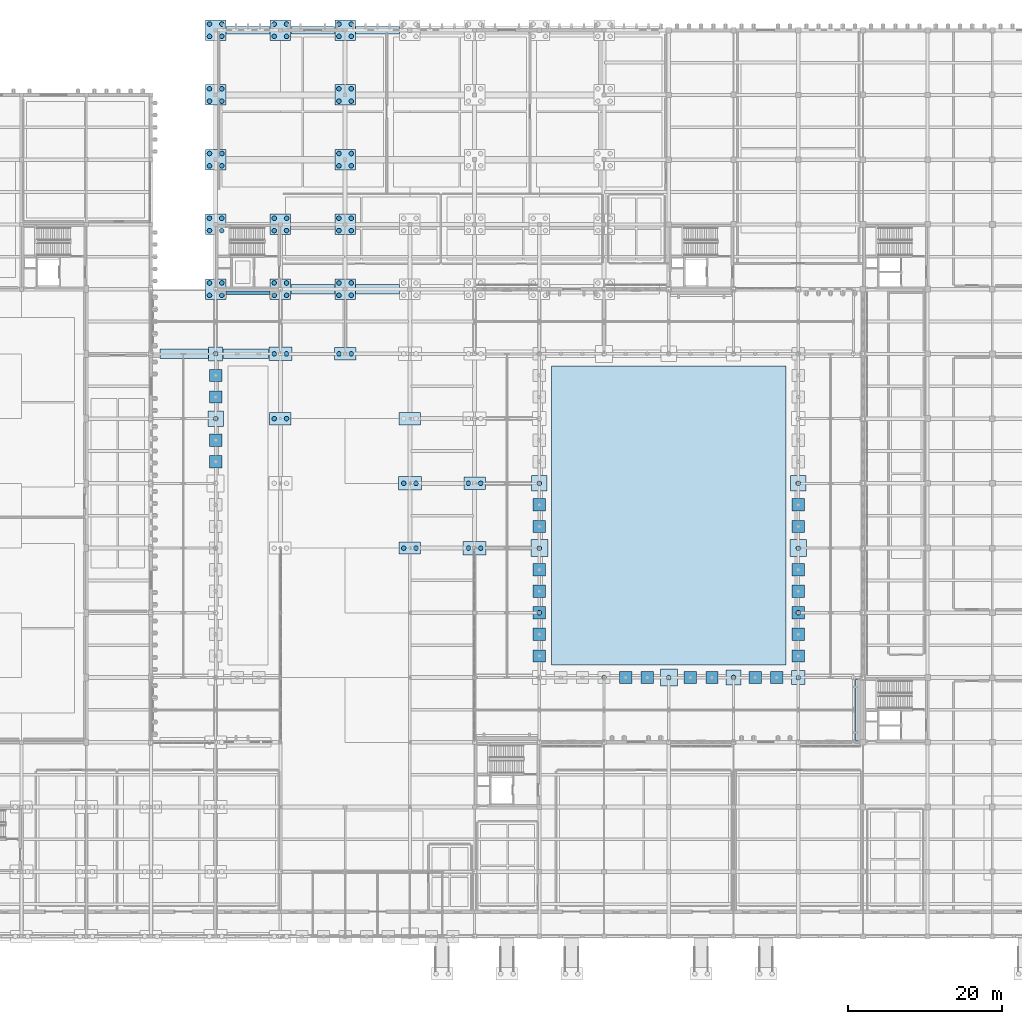
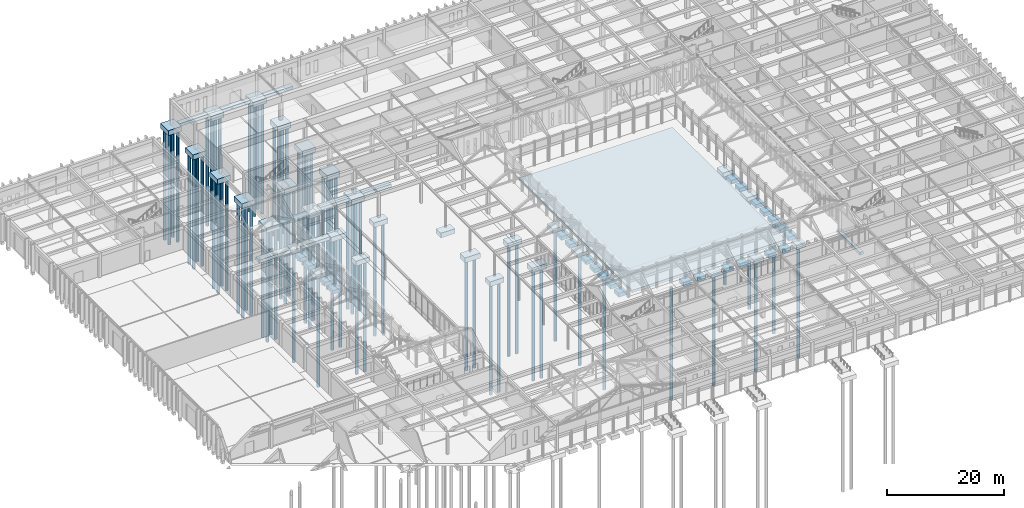
# One storey, part 2 of 143: 78 piles, 64 footings.
"""IFC4 building model written with IfcOpenShell, lengths in metres."""

import ifcopenshell
import ifcopenshell.guid

model = None  # the IFC model being written
_history = None  # IfcOwnerHistory: only IFC2X3 demands one
_inside = {}  # id of a spatial element -> (the spatial element, [elements in it])
_under = {}  # id of a project, library or spatial element -> (it, [spatial elements below it])
_declared = {}  # id of a project -> (the project, [libraries it declares])
_typed = {}  # id of a type object -> (the type object, [elements of that type])
_made_of = {}  # id of a material, layer set ... -> (it, [elements and type objects made of it])


def new_model(schema):
    """Start an empty IFC model of exactly this schema.

    Asked for "IFC4X3", IfcOpenShell would pick the latest addendum, in which some entities
    have other attributes; the version numbers below select the first issue.
    IFC2X3 requires an IfcOwnerHistory on every rooted entity: one is made here for all.
    """
    global model, _history
    if schema == "IFC4X3":
        model = ifcopenshell.file(schema_version=(4, 3, 0, 0))
    else:
        model = ifcopenshell.file(schema=schema)
    _inside.clear()
    _under.clear()
    _declared.clear()
    _typed.clear()
    _made_of.clear()
    _history = None
    if model.schema == "IFC2X3":
        org = make("IfcOrganization", Name="unknown")
        user = make(
            "IfcPersonAndOrganization",
            ThePerson=make("IfcPerson", FamilyName="unknown"),
            TheOrganization=org,
        )
        app = make(
            "IfcApplication",
            ApplicationDeveloper=org,
            Version="unknown",
            ApplicationFullName="unknown",
            ApplicationIdentifier="unknown",
        )
        _history = make(
            "IfcOwnerHistory",
            OwningUser=user,
            OwningApplication=app,
            ChangeAction="ADDED",
            CreationDate=0,
        )
    return model


def make(cls, **values):
    """One entity of the class cls with the attributes given. An attribute that is None is left unset."""
    return model.create_entity(
        cls, **{name: value for name, value in values.items() if value is not None}
    )


def rooted(cls, **values):
    """An entity with a GlobalId (a new one), such as an element, a storey or a relation."""
    return make(cls, GlobalId=ifcopenshell.guid.new(), OwnerHistory=_history, **values)


def si_unit(unit_type, name, prefix=None):
    """IfcSIUnit, for example si_unit("LENGTHUNIT", "METRE", prefix="MILLI")."""
    return make("IfcSIUnit", UnitType=unit_type, Prefix=prefix, Name=name)


def assignment(units):
    """IfcUnitAssignment: the units of a project."""
    return None if units is None else make("IfcUnitAssignment", Units=units)


def point(xyz):
    """IfcCartesianPoint."""
    return None if xyz is None else make("IfcCartesianPoint", Coordinates=xyz)


def direction(xyz):
    """IfcDirection."""
    return None if xyz is None else make("IfcDirection", DirectionRatios=xyz)


def frame(location, z_axis=None, x_axis=None):
    """IfcAxis2Placement3D, a coordinate frame: its origin and axes. An axis left out is left unset."""
    return make(
        "IfcAxis2Placement3D",
        Location=point(location),
        Axis=direction(z_axis),
        RefDirection=direction(x_axis),
    )


def frame_2d(location, x_axis=None):
    """IfcAxis2Placement2D, a coordinate frame in the plane: its origin and x axis."""
    return make(
        "IfcAxis2Placement2D", Location=point(location), RefDirection=direction(x_axis)
    )


def origin():
    """The frame at (0, 0, 0) with its axes left unset."""
    return frame((0.0, 0.0, 0.0))


def origin_2d():
    """The frame at (0, 0) in the plane with its x axis left unset."""
    return frame_2d((0.0, 0.0))


def place(relative_to, where):
    """IfcLocalPlacement: puts the frame where relative to a parent placement (None: the world)."""
    return make(
        "IfcLocalPlacement", PlacementRelTo=relative_to, RelativePlacement=where
    )


def context(
    kind, dimensions, precision=None, world=None, true_north=None, identifier=None
):
    """IfcGeometricRepresentationContext, for example the 3D "Model" context."""
    return make(
        "IfcGeometricRepresentationContext",
        ContextIdentifier=identifier,
        ContextType=kind,
        CoordinateSpaceDimension=dimensions,
        Precision=precision,
        WorldCoordinateSystem=world,
        TrueNorth=true_north,
    )


def subcontext(parent, identifier, kind, view, scale=None):
    """IfcGeometricRepresentationSubContext, for example "Body" below "Model"."""
    return make(
        "IfcGeometricRepresentationSubContext",
        ContextIdentifier=identifier,
        ContextType=kind,
        ParentContext=parent,
        TargetScale=scale,
        TargetView=view,
    )


def project(units=None, contexts=None):
    """IfcProject with its units and contexts."""
    return rooted(
        "IfcProject",
        Name="project",
        RepresentationContexts=contexts,
        UnitsInContext=assignment(units),
    )


def spatial(cls, under=None, at=None, **own):
    """A site, building, storey or space (cls), placed at a placement, below another one or the project."""
    s = rooted(cls, ObjectPlacement=at, **own)
    if under is not None:
        _under.setdefault(under.id(), (under, []))[1].append(s)
    return s


def polyline(points):
    """IfcPolyline through the points."""
    return make("IfcPolyline", Points=[point(p) for p in points])


def profile(cls, at=None, kind="AREA", **sizes):
    """A parametric profile (cls). Its sizes go by their IFC names, for example OverallWidth=200.0."""
    return make(cls, ProfileType=kind, Position=at, **sizes)


def rectangle(**sizes):
    """IfcRectangleProfileDef."""
    return profile("IfcRectangleProfileDef", **sizes)


def circle(**sizes):
    """IfcCircleProfileDef."""
    return profile("IfcCircleProfileDef", **sizes)


def outline(outer, holes=None, kind="AREA"):
    """IfcArbitraryClosedProfileDef: a profile drawn as a closed curve; with holes, ...WithVoids."""
    if holes is None:
        return make("IfcArbitraryClosedProfileDef", ProfileType=kind, OuterCurve=outer)
    return make(
        "IfcArbitraryProfileDefWithVoids",
        ProfileType=kind,
        OuterCurve=outer,
        InnerCurves=holes,
    )


def extrude(swept, where, along, depth):
    """IfcExtrudedAreaSolid: the profile swept, set in the frame where, extruded along a direction by depth."""
    return make(
        "IfcExtrudedAreaSolid",
        SweptArea=swept,
        Position=where,
        ExtrudedDirection=direction(along),
        Depth=depth,
    )


def shape(context_of_items, identifier, shape_type, items):
    """IfcShapeRepresentation: the items that make up one representation, for example the "Body"."""
    return make(
        "IfcShapeRepresentation",
        ContextOfItems=context_of_items,
        RepresentationIdentifier=identifier,
        RepresentationType=shape_type,
        Items=items,
    )


def material(Name=None, Category=None):
    """IfcMaterial."""
    return make("IfcMaterial", Name=Name, Category=Category)


def material_profile(
    of_material, cross_section, Name=None, Category=None, Priority=None
):
    """IfcMaterialProfile: a cross section and its material."""
    return make(
        "IfcMaterialProfile",
        Name=Name,
        Material=of_material,
        Profile=cross_section,
        Priority=Priority,
        Category=Category,
    )


def profile_set(profiles, Name=None, composite=None):
    """IfcMaterialProfileSet."""
    return make(
        "IfcMaterialProfileSet",
        Name=Name,
        MaterialProfiles=profiles,
        CompositeProfile=composite,
    )


def made_of(thing, what):
    """Note that an element or type object is made of a material, layer set ...; save() writes the relation."""
    if what is not None:
        _made_of.setdefault(what.id(), (what, []))[1].append(thing)
    return thing


def type_object(cls, material=None, **own):
    """A type object (cls), such as IfcWallType, which elements share."""
    return made_of(rooted(cls, **own), material)


def element(
    cls,
    number,
    at=None,
    inside=None,
    cuts=None,
    type_object=None,
    material=None,
    context=None,
    identifier="Body",
    shape_type=None,
    held_by="IfcProductDefinitionShape",
    body=None,
    shapes=None,
    **own,
):
    """One element of the class cls, such as IfcWall. Its Tag is "e" and its number.

    at: its placement. inside: the storey or other place that contains it. cuts: it is an
    opening in that element (IfcRelVoidsElement). A single representation is given by context,
    identifier, shape_type and body (its items); several are given by shapes. held_by: the class
    of the entity that holds the representations. save() writes the other relations.
    """
    e = rooted(cls, Tag="e%d" % number, ObjectPlacement=at, **own)
    if body is not None:
        shapes = [shape(context, identifier, shape_type, body)]
    if shapes is not None:
        e.Representation = make(held_by, Representations=shapes)
    if inside is not None:
        _inside.setdefault(inside.id(), (inside, []))[1].append(e)
    if cuts is not None:
        rooted(
            "IfcRelVoidsElement", RelatingBuildingElement=cuts, RelatedOpeningElement=e
        )
    if type_object is not None:
        _typed.setdefault(type_object.id(), (type_object, []))[1].append(e)
    return made_of(e, material)


def aggregate(whole, parts):
    """IfcRelAggregates: a whole, such as a stair, and the parts it consists of."""
    return rooted("IfcRelAggregates", RelatingObject=whole, RelatedObjects=parts)


def save(model, path):
    """Write the relations noted so far, then the file.

    IfcRelAggregates (storeys below a building ...), IfcRelContainedInSpatialStructure (elements
    in a storey), IfcRelDefinesByType, IfcRelAssociatesMaterial and IfcRelDeclares: one each for
    every whole, place, type object, material and project.
    """
    for whole, parts in _under.values():
        aggregate(whole, parts)
    for where, things in _inside.values():
        rooted(
            "IfcRelContainedInSpatialStructure",
            RelatedElements=things,
            RelatingStructure=where,
        )
    for kind, things in _typed.values():
        rooted("IfcRelDefinesByType", RelatedObjects=things, RelatingType=kind)
    for what, things in _made_of.values():
        rooted("IfcRelAssociatesMaterial", RelatedObjects=things, RelatingMaterial=what)
    for by, libraries in _declared.values():
        rooted("IfcRelDeclares", RelatingContext=by, RelatedDefinitions=libraries)
    model.write(path)


model = new_model("IFC4")

# Units and contexts
model_context = context("Model", 3, precision=1e-05, world=origin(), true_north=direction((0.0, 1.0)))
body_context = subcontext(model_context, "Body", "Model", "MODEL_VIEW")
ifc_project = project(units=[si_unit("LENGTHUNIT", "METRE"), si_unit("AREAUNIT", "SQUARE_METRE"), si_unit("VOLUMEUNIT", "CUBIC_METRE"), si_unit("PLANEANGLEUNIT", "RADIAN"), si_unit("MASSUNIT", "GRAM", prefix="KILO")], contexts=[model_context])

# Site, building, storey
site_placement = place(None, origin())
site = spatial("IfcSite", under=ifc_project, at=site_placement, CompositionType="ELEMENT")
building_placement = place(site_placement, origin())
building = spatial("IfcBuilding", under=site, at=building_placement, Name="Kveldsbrygga Polytechnic", CompositionType="ELEMENT")
storey_placement = place(building_placement, origin())
storey = spatial("IfcBuildingStorey", under=building, at=storey_placement, Name="L00", CompositionType="ELEMENT", Elevation=0.0)

# Footings
ifc_material_1 = material(Name="Concrete C45/55", Category="concrete")
footing_type_1 = type_object("IfcFootingType", Name="PC-2P-LIGHT", PredefinedType="PILE_CAP", material=ifc_material_1)
for number, where, z_axis, x_axis, name in (
    (1, (50.39990234375, 67.199951171875, -1.320068359375), (0.0, 0.0, 1.0), (1.0, 0.0, 0.0), "Foundation FND-06-08"),
    (2, (58.800048828125, 75.60009765625, -1.320068359375), (0.0, 0.0, 1.0), (1.0, 0.0, 0.0), "Foundation FND-07-09"),
    (3, (67.199951171875, 50.39990234375, -1.320068359375), (0.0, 0.0, 1.0), (1.0, 0.0, 0.0), "Foundation FND-08-06"),
    (4, (67.199951171875, 67.199951171875, -1.320068359375), (0.0, 0.0, 1.0), (1.0, 0.0, 0.0), "Foundation FND-08-08"),
    (5, (75.60009765625, 58.800048828125, -1.320068359375), (0.0, 0.0, 1.0), (1.0, 0.0, 0.0), "Foundation FND-09-07"),
):
    element("IfcFooting", number, at=place(storey_placement, frame(where, z_axis=z_axis, x_axis=x_axis)), inside=storey, type_object=footing_type_1, Name=name, PredefinedType="PILE_CAP", context=body_context, shape_type="SweptSolid", body=[
        extrude(rectangle(XDim=2.800048828125, YDim=1.60009765625, at=origin_2d()), origin(), (0.0, 0.0, 1.0), 1.0),
    ])
footing_type_2 = type_object("IfcFootingType", Name="PC-2P-MED", PredefinedType="PILE_CAP", material=ifc_material_1)
for number, where, z_axis, x_axis, name in (
    (6, (50.39990234375, 75.60009765625, -1.3701171875), (0.0, 0.0, 1.0), (1.0, 0.0, 0.0), "Foundation FND-06-09"),
    (7, (67.199951171875, 58.800048828125, -1.3701171875), (0.0, 0.0, 1.0), (1.0, 0.0, 0.0), "Foundation FND-08-07"),
    (8, (75.60009765625, 50.39990234375, -1.3701171875), (0.0, 0.0, 1.0), (1.0, 0.0, 0.0), "Foundation FND-09-06"),
):
    element("IfcFooting", number, at=place(storey_placement, frame(where, z_axis=z_axis, x_axis=x_axis)), inside=storey, type_object=footing_type_2, Name=name, PredefinedType="PILE_CAP", context=body_context, shape_type="SweptSolid", body=[
        extrude(rectangle(XDim=3.0, YDim=1.75, at=origin_2d()), origin(), (0.0, 0.0, 1.0), 1.050048828125),
    ])
footing_type_3 = type_object("IfcFootingType", Name="PC-4P-CMP", PredefinedType="PILE_CAP", material=ifc_material_1)
for number, where, z_axis, x_axis, name in (
    (9, (42.0, 84.0, -1.3701171875), (0.0, 0.0, 1.0), (1.0, 0.0, 0.0), "Foundation FND-05-10"),
    (10, (42.0, 92.39990234375, -1.3701171875), (0.0, 0.0, 1.0), (1.0, 0.0, 0.0), "Foundation FND-05-11"),
    (11, (42.0, 100.800048828125, -1.3701171875), (0.0, 0.0, 1.0), (1.0, 0.0, 0.0), "Foundation FND-05-12"),
    (12, (42.0, 109.199951171875, -1.3701171875), (0.0, 0.0, 1.0), (1.0, 0.0, 0.0), "Foundation FND-05-13"),
    (13, (42.0, 117.60009765625, -1.3701171875), (0.0, 0.0, 1.0), (1.0, 0.0, 0.0), "Foundation FND-05-14"),
    (14, (50.39990234375, 84.0, -1.3701171875), (0.0, 0.0, 1.0), (1.0, 0.0, 0.0), "Foundation FND-06-10"),
    (15, (50.39990234375, 92.39990234375, -1.3701171875), (0.0, 0.0, 1.0), (1.0, 0.0, 0.0), "Foundation FND-06-11"),
    (16, (50.39990234375, 117.60009765625, -1.3701171875), (0.0, 0.0, 1.0), (1.0, 0.0, 0.0), "Foundation FND-06-14"),
    (17, (58.800048828125, 84.0, -1.3701171875), (0.0, 0.0, 1.0), (1.0, 0.0, 0.0), "Foundation FND-07-10"),
    (18, (58.800048828125, 92.39990234375, -1.3701171875), (0.0, 0.0, 1.0), (1.0, 0.0, 0.0), "Foundation FND-07-11"),
    (19, (58.800048828125, 100.800048828125, -1.3701171875), (0.0, 0.0, 1.0), (1.0, 0.0, 0.0), "Foundation FND-07-12"),
    (20, (58.800048828125, 109.199951171875, -1.3701171875), (0.0, 0.0, 1.0), (1.0, 0.0, 0.0), "Foundation FND-07-13"),
    (21, (58.800048828125, 117.60009765625, -1.3701171875), (0.0, 0.0, 1.0), (1.0, 0.0, 0.0), "Foundation FND-07-14"),
):
    element("IfcFooting", number, at=place(storey_placement, frame(where, z_axis=z_axis, x_axis=x_axis)), inside=storey, type_object=footing_type_3, Name=name, PredefinedType="PILE_CAP", context=body_context, shape_type="SweptSolid", body=[
        extrude(rectangle(XDim=2.64990234375, YDim=2.64990234375, at=origin_2d()), origin(), (0.0, 0.0, 1.0), 1.050048828125),
    ])
ifc_material_2 = material(Name="Concrete C35/45", Category="concrete")
footing_type_4 = type_object("IfcFootingType", Name="PF-ARCADE-A", PredefinedType="PAD_FOOTING", material=ifc_material_2)
for number, where, z_axis, x_axis, name in (
    (22, (84.0, 50.39990234375, -1.1201171875), (0.0, 0.0, 1.0), (1.0, 0.0, 0.0), "Foundation FND-10-06"),
    (23, (100.800048828125, 33.60009765625, -1.1201171875), (0.0, 0.0, 1.0), (1.0, 0.0, 0.0), "Foundation FND-12-04"),
    (24, (117.60009765625, 50.39990234375, -1.1201171875), (0.0, 0.0, 1.0), (1.0, 0.0, 0.0), "Foundation FND-14-06"),
):
    element("IfcFooting", number, at=place(storey_placement, frame(where, z_axis=z_axis, x_axis=x_axis)), inside=storey, type_object=footing_type_4, Name=name, PredefinedType="PAD_FOOTING", context=body_context, shape_type="SweptSolid", body=[
        extrude(rectangle(XDim=2.199951171875, YDim=2.199951171875, at=origin_2d()), origin(), (0.0, 0.0, 1.0), 0.800048828125),
    ])
footing_type_5 = type_object("IfcFootingType", Name="PF-ARCADE-B", PredefinedType="PAD_FOOTING", material=ifc_material_2)
for number, where, z_axis, x_axis, name in (
    (25, (42.0, 75.60009765625, -1.170166015625), (0.0, 0.0, 1.0), (1.0, 0.0, 0.0), "Foundation FND-05-09"),
    (26, (117.60009765625, 33.60009765625, -1.170166015625), (0.0, 0.0, 1.0), (1.0, 0.0, 0.0), "Foundation FND-14-04"),
):
    element("IfcFooting", number, at=place(storey_placement, frame(where, z_axis=z_axis, x_axis=x_axis)), inside=storey, type_object=footing_type_5, Name=name, PredefinedType="PAD_FOOTING", context=body_context, shape_type="SweptSolid", body=[
        extrude(rectangle(XDim=1.800048828125, YDim=1.800048828125, at=origin_2d()), origin(), (0.0, 0.0, 1.0), 0.85009765625),
    ])
footing_type_6 = type_object("IfcFootingType", Name="PF-ARCADE-C", PredefinedType="PAD_FOOTING", material=ifc_material_2)
for number, where, z_axis, x_axis, name in (
    (27, (42.0, 67.199951171875, -1.219970703125), (0.0, 0.0, 1.0), (1.0, 0.0, 0.0), "Foundation FND-05-08"),
    (28, (84.0, 58.800048828125, -1.219970703125), (0.0, 0.0, 1.0), (1.0, 0.0, 0.0), "Foundation FND-10-07"),
    (29, (109.199951171875, 33.60009765625, -1.219970703125), (0.0, 0.0, 1.0), (1.0, 0.0, 0.0), "Foundation FND-13-04"),
    (30, (117.60009765625, 58.800048828125, -1.219970703125), (0.0, 0.0, 1.0), (1.0, 0.0, 0.0), "Foundation FND-14-07"),
):
    element("IfcFooting", number, at=place(storey_placement, frame(where, z_axis=z_axis, x_axis=x_axis)), inside=storey, type_object=footing_type_6, Name=name, PredefinedType="PAD_FOOTING", context=body_context, shape_type="SweptSolid", body=[
        extrude(rectangle(XDim=2.0, YDim=2.0, at=origin_2d()), origin(), (0.0, 0.0, 1.0), 0.89990234375),
    ])
footing_1_placement = place(storey_placement, frame((0.0, 0.0, -0.800048828125)))
element("IfcFooting", 31, at=footing_1_placement, inside=storey, type_object=footing_type_6, Name="Courtyard Paving Subbase ECOURT", PredefinedType="PAD_FOOTING", context=body_context, shape_type="SweptSolid", body=[
    extrude(outline(polyline([(85.60009765625, 35.199951171875), (116.0, 35.199951171875), (116.0, 74.0), (85.60009765625, 74.0), (85.60009765625, 35.199951171875)])), origin(), (0.0, 0.0, 1.0), 0.52001953125),
])
footing_type_7 = type_object("IfcFootingType", Name="PF-ARCADE-D", PredefinedType="PAD_FOOTING", material=ifc_material_2)
for number, where, z_axis, x_axis, name in (
    (32, (84.0, 42.0, -1.14013671875), (0.0, 0.0, 1.0), (1.0, 0.0, 0.0), "Foundation FND-10-05"),
    (33, (117.60009765625, 42.0, -1.14013671875), (0.0, 0.0, 1.0), (1.0, 0.0, 0.0), "Foundation FND-14-05"),
    (34, (42.0, 61.60009765625, -1.14013671875), (0.0, 0.0, 1.0), (1.0, 0.0, 0.0), "Arcade Pier Footing FND-ARC-051"),
    (35, (42.0, 64.39990234375, -1.14013671875), (0.0, 0.0, 1.0), (1.0, 0.0, 0.0), "Arcade Pier Footing FND-ARC-052"),
    (36, (42.0, 70.0, -1.14013671875), (0.0, 0.0, 1.0), (1.0, 0.0, 0.0), "Arcade Pier Footing FND-ARC-053"),
    (37, (42.0, 72.800048828125, -1.14013671875), (0.0, 0.0, 1.0), (1.0, 0.0, 0.0), "Arcade Pier Footing FND-ARC-054"),
    (38, (95.199951171875, 33.60009765625, -1.14013671875), (0.0, 0.0, 1.0), (1.0, 0.0, 0.0), "Arcade Pier Footing FND-ARC-059"),
    (39, (98.0, 33.60009765625, -1.14013671875), (0.0, 0.0, 1.0), (1.0, 0.0, 0.0), "Arcade Pier Footing FND-ARC-060"),
    (40, (103.60009765625, 33.60009765625, -1.14013671875), (0.0, 0.0, 1.0), (1.0, 0.0, 0.0), "Arcade Pier Footing FND-ARC-063"),
    (41, (106.39990234375, 33.60009765625, -1.14013671875), (0.0, 0.0, 1.0), (1.0, 0.0, 0.0), "Arcade Pier Footing FND-ARC-064"),
    (42, (112.0, 33.60009765625, -1.14013671875), (0.0, 0.0, 1.0), (1.0, 0.0, 0.0), "Arcade Pier Footing FND-ARC-067"),
    (43, (114.800048828125, 33.60009765625, -1.14013671875), (0.0, 0.0, 1.0), (1.0, 0.0, 0.0), "Arcade Pier Footing FND-ARC-068"),
    (44, (84.0, 36.39990234375, -1.14013671875), (0.0, 0.0, 1.0), (1.0, 0.0, 0.0), "Arcade Pier Footing FND-ARC-071"),
    (45, (84.0, 39.199951171875, -1.14013671875), (0.0, 0.0, 1.0), (1.0, 0.0, 0.0), "Arcade Pier Footing FND-ARC-072"),
    (46, (117.60009765625, 36.39990234375, -1.14013671875), (0.0, 0.0, 1.0), (1.0, 0.0, 0.0), "Arcade Pier Footing FND-ARC-073"),
    (47, (117.60009765625, 39.199951171875, -1.14013671875), (0.0, 0.0, 1.0), (1.0, 0.0, 0.0), "Arcade Pier Footing FND-ARC-074"),
    (48, (84.0, 44.800048828125, -1.14013671875), (0.0, 0.0, 1.0), (1.0, 0.0, 0.0), "Arcade Pier Footing FND-ARC-075"),
    (49, (84.0, 47.60009765625, -1.14013671875), (0.0, 0.0, 1.0), (1.0, 0.0, 0.0), "Arcade Pier Footing FND-ARC-076"),
    (50, (117.60009765625, 44.800048828125, -1.14013671875), (0.0, 0.0, 1.0), (1.0, 0.0, 0.0), "Arcade Pier Footing FND-ARC-077"),
    (51, (117.60009765625, 47.60009765625, -1.14013671875), (0.0, 0.0, 1.0), (1.0, 0.0, 0.0), "Arcade Pier Footing FND-ARC-078"),
    (52, (84.0, 53.199951171875, -1.14013671875), (0.0, 0.0, 1.0), (1.0, 0.0, 0.0), "Arcade Pier Footing FND-ARC-079"),
    (53, (84.0, 56.0, -1.14013671875), (0.0, 0.0, 1.0), (1.0, 0.0, 0.0), "Arcade Pier Footing FND-ARC-080"),
    (54, (117.60009765625, 53.199951171875, -1.14013671875), (0.0, 0.0, 1.0), (1.0, 0.0, 0.0), "Arcade Pier Footing FND-ARC-081"),
    (55, (117.60009765625, 56.0, -1.14013671875), (0.0, 0.0, 1.0), (1.0, 0.0, 0.0), "Arcade Pier Footing FND-ARC-082"),
):
    element("IfcFooting", number, at=place(storey_placement, frame(where, z_axis=z_axis, x_axis=x_axis)), inside=storey, type_object=footing_type_7, Name=name, PredefinedType="PAD_FOOTING", context=body_context, shape_type="SweptSolid", body=[
        extrude(rectangle(XDim=1.60009765625, YDim=1.60009765625, at=origin_2d()), origin(), (0.0, 0.0, 1.0), 0.820068359375),
    ])

# Piles
ifc_material_profile = material_profile(ifc_material_1, circle(Radius=0.300048828125, at=origin_2d()), Name="PILE D600")
ifc_profile_set = profile_set([ifc_material_profile], Name="Concrete C45/55")
pile_type = type_object("IfcPileType", Name="PILE-D600", PredefinedType="BORED", material=ifc_profile_set)
pile_1_placement = place(storey_placement, frame((42.0, 67.199951171875, -1.070068359375), z_axis=(0.0, 0.0, -1.0), x_axis=(1.0, 0.0, 0.0)))
element("IfcPile", 56, at=pile_1_placement, inside=storey, type_object=pile_type, Name="Bored Pile PIL-05-08-1", PredefinedType="BORED", context=body_context, shape_type="SweptSolid", body=[
    extrude(circle(Radius=0.300048828125, at=origin_2d()), origin(), (0.0, 0.0, 1.0), 23.429931640625),
])
pile_2_placement = place(storey_placement, frame((42.0, 75.60009765625, -1.02001953125), z_axis=(0.0, 0.0, -1.0), x_axis=(1.0, 0.0, 0.0)))
element("IfcPile", 57, at=pile_2_placement, inside=storey, type_object=pile_type, Name="Bored Pile PIL-05-09-1", PredefinedType="BORED", context=body_context, shape_type="SweptSolid", body=[
    extrude(circle(Radius=0.300048828125, at=origin_2d()), origin(), (0.0, 0.0, 1.0), 23.47998046875),
])
for number, where, z_axis, x_axis, name in (
    (58, (41.199951171875, 83.199951171875, -1.219970703125), (0.0, 0.0, -1.0), (1.0, 0.0, 0.0), "Bored Pile PIL-05-10-1"),
    (59, (42.800048828125, 83.199951171875, -1.219970703125), (0.0, 0.0, -1.0), (1.0, 0.0, 0.0), "Bored Pile PIL-05-10-2"),
    (60, (41.199951171875, 84.800048828125, -1.219970703125), (0.0, 0.0, -1.0), (1.0, 0.0, 0.0), "Bored Pile PIL-05-10-3"),
    (61, (42.800048828125, 84.800048828125, -1.219970703125), (0.0, 0.0, -1.0), (1.0, 0.0, 0.0), "Bored Pile PIL-05-10-4"),
    (62, (41.199951171875, 91.60009765625, -1.219970703125), (0.0, 0.0, -1.0), (1.0, 0.0, 0.0), "Bored Pile PIL-05-11-1"),
    (63, (42.800048828125, 91.60009765625, -1.219970703125), (0.0, 0.0, -1.0), (1.0, 0.0, 0.0), "Bored Pile PIL-05-11-2"),
    (64, (41.199951171875, 93.199951171875, -1.219970703125), (0.0, 0.0, -1.0), (1.0, 0.0, 0.0), "Bored Pile PIL-05-11-3"),
    (65, (42.800048828125, 93.199951171875, -1.219970703125), (0.0, 0.0, -1.0), (1.0, 0.0, 0.0), "Bored Pile PIL-05-11-4"),
    (66, (41.199951171875, 100.0, -1.219970703125), (0.0, 0.0, -1.0), (1.0, 0.0, 0.0), "Bored Pile PIL-05-12-1"),
    (67, (42.800048828125, 100.0, -1.219970703125), (0.0, 0.0, -1.0), (1.0, 0.0, 0.0), "Bored Pile PIL-05-12-2"),
    (68, (41.199951171875, 101.60009765625, -1.219970703125), (0.0, 0.0, -1.0), (1.0, 0.0, 0.0), "Bored Pile PIL-05-12-3"),
    (69, (42.800048828125, 101.60009765625, -1.219970703125), (0.0, 0.0, -1.0), (1.0, 0.0, 0.0), "Bored Pile PIL-05-12-4"),
    (70, (41.199951171875, 108.39990234375, -1.219970703125), (0.0, 0.0, -1.0), (1.0, 0.0, 0.0), "Bored Pile PIL-05-13-1"),
    (71, (42.800048828125, 108.39990234375, -1.219970703125), (0.0, 0.0, -1.0), (1.0, 0.0, 0.0), "Bored Pile PIL-05-13-2"),
    (72, (41.199951171875, 110.0, -1.219970703125), (0.0, 0.0, -1.0), (1.0, 0.0, 0.0), "Bored Pile PIL-05-13-3"),
    (73, (42.800048828125, 110.0, -1.219970703125), (0.0, 0.0, -1.0), (1.0, 0.0, 0.0), "Bored Pile PIL-05-13-4"),
    (74, (41.199951171875, 116.800048828125, -1.219970703125), (0.0, 0.0, -1.0), (1.0, 0.0, 0.0), "Bored Pile PIL-05-14-1"),
    (75, (42.800048828125, 116.800048828125, -1.219970703125), (0.0, 0.0, -1.0), (1.0, 0.0, 0.0), "Bored Pile PIL-05-14-2"),
    (76, (41.199951171875, 118.39990234375, -1.219970703125), (0.0, 0.0, -1.0), (1.0, 0.0, 0.0), "Bored Pile PIL-05-14-3"),
    (77, (42.800048828125, 118.39990234375, -1.219970703125), (0.0, 0.0, -1.0), (1.0, 0.0, 0.0), "Bored Pile PIL-05-14-4"),
):
    element("IfcPile", number, at=place(storey_placement, frame(where, z_axis=z_axis, x_axis=x_axis)), inside=storey, type_object=pile_type, Name=name, PredefinedType="BORED", context=body_context, shape_type="SweptSolid", body=[
        extrude(circle(Radius=0.300048828125, at=origin_2d()), origin(), (0.0, 0.0, 1.0), 23.280029296875),
    ])
for number, where, z_axis, x_axis, name in (
    (78, (49.60009765625, 67.199951171875, -1.169921875), (0.0, 0.0, -1.0), (1.0, 0.0, 0.0), "Bored Pile PIL-06-08-1"),
    (79, (51.199951171875, 67.199951171875, -1.169921875), (0.0, 0.0, -1.0), (1.0, 0.0, 0.0), "Bored Pile PIL-06-08-2"),
):
    element("IfcPile", number, at=place(storey_placement, frame(where, z_axis=z_axis, x_axis=x_axis)), inside=storey, type_object=pile_type, Name=name, PredefinedType="BORED", context=body_context, shape_type="SweptSolid", body=[
        extrude(circle(Radius=0.300048828125, at=origin_2d()), origin(), (0.0, 0.0, 1.0), 23.330078125),
    ])
for number, where, z_axis, x_axis, name in (
    (80, (49.60009765625, 75.60009765625, -1.219970703125), (0.0, 0.0, -1.0), (1.0, 0.0, 0.0), "Bored Pile PIL-06-09-1"),
    (81, (51.199951171875, 75.60009765625, -1.219970703125), (0.0, 0.0, -1.0), (1.0, 0.0, 0.0), "Bored Pile PIL-06-09-2"),
    (82, (49.60009765625, 83.199951171875, -1.219970703125), (0.0, 0.0, -1.0), (1.0, 0.0, 0.0), "Bored Pile PIL-06-10-1"),
    (83, (51.199951171875, 83.199951171875, -1.219970703125), (0.0, 0.0, -1.0), (1.0, 0.0, 0.0), "Bored Pile PIL-06-10-2"),
    (84, (49.60009765625, 84.800048828125, -1.219970703125), (0.0, 0.0, -1.0), (1.0, 0.0, 0.0), "Bored Pile PIL-06-10-3"),
    (85, (51.199951171875, 84.800048828125, -1.219970703125), (0.0, 0.0, -1.0), (1.0, 0.0, 0.0), "Bored Pile PIL-06-10-4"),
    (86, (49.60009765625, 91.60009765625, -1.219970703125), (0.0, 0.0, -1.0), (1.0, 0.0, 0.0), "Bored Pile PIL-06-11-1"),
    (87, (51.199951171875, 91.60009765625, -1.219970703125), (0.0, 0.0, -1.0), (1.0, 0.0, 0.0), "Bored Pile PIL-06-11-2"),
    (88, (49.60009765625, 93.199951171875, -1.219970703125), (0.0, 0.0, -1.0), (1.0, 0.0, 0.0), "Bored Pile PIL-06-11-3"),
    (89, (51.199951171875, 93.199951171875, -1.219970703125), (0.0, 0.0, -1.0), (1.0, 0.0, 0.0), "Bored Pile PIL-06-11-4"),
    (90, (49.60009765625, 116.800048828125, -1.219970703125), (0.0, 0.0, -1.0), (1.0, 0.0, 0.0), "Bored Pile PIL-06-14-1"),
    (91, (51.199951171875, 116.800048828125, -1.219970703125), (0.0, 0.0, -1.0), (1.0, 0.0, 0.0), "Bored Pile PIL-06-14-2"),
    (92, (49.60009765625, 118.39990234375, -1.219970703125), (0.0, 0.0, -1.0), (1.0, 0.0, 0.0), "Bored Pile PIL-06-14-3"),
    (93, (51.199951171875, 118.39990234375, -1.219970703125), (0.0, 0.0, -1.0), (1.0, 0.0, 0.0), "Bored Pile PIL-06-14-4"),
):
    element("IfcPile", number, at=place(storey_placement, frame(where, z_axis=z_axis, x_axis=x_axis)), inside=storey, type_object=pile_type, Name=name, PredefinedType="BORED", context=body_context, shape_type="SweptSolid", body=[
        extrude(circle(Radius=0.300048828125, at=origin_2d()), origin(), (0.0, 0.0, 1.0), 23.280029296875),
    ])
for number, where, z_axis, x_axis, name in (
    (94, (58.0, 75.60009765625, -1.169921875), (0.0, 0.0, -1.0), (1.0, 0.0, 0.0), "Bored Pile PIL-07-09-1"),
    (95, (59.60009765625, 75.60009765625, -1.169921875), (0.0, 0.0, -1.0), (1.0, 0.0, 0.0), "Bored Pile PIL-07-09-2"),
):
    element("IfcPile", number, at=place(storey_placement, frame(where, z_axis=z_axis, x_axis=x_axis)), inside=storey, type_object=pile_type, Name=name, PredefinedType="BORED", context=body_context, shape_type="SweptSolid", body=[
        extrude(circle(Radius=0.300048828125, at=origin_2d()), origin(), (0.0, 0.0, 1.0), 23.330078125),
    ])
for number, where, z_axis, x_axis, name in (
    (96, (58.0, 83.199951171875, -1.219970703125), (0.0, 0.0, -1.0), (1.0, 0.0, 0.0), "Bored Pile PIL-07-10-1"),
    (97, (59.60009765625, 83.199951171875, -1.219970703125), (0.0, 0.0, -1.0), (1.0, 0.0, 0.0), "Bored Pile PIL-07-10-2"),
    (98, (58.0, 84.800048828125, -1.219970703125), (0.0, 0.0, -1.0), (1.0, 0.0, 0.0), "Bored Pile PIL-07-10-3"),
    (99, (59.60009765625, 84.800048828125, -1.219970703125), (0.0, 0.0, -1.0), (1.0, 0.0, 0.0), "Bored Pile PIL-07-10-4"),
    (100, (58.0, 91.60009765625, -1.219970703125), (0.0, 0.0, -1.0), (1.0, 0.0, 0.0), "Bored Pile PIL-07-11-1"),
    (101, (59.60009765625, 91.60009765625, -1.219970703125), (0.0, 0.0, -1.0), (1.0, 0.0, 0.0), "Bored Pile PIL-07-11-2"),
    (102, (58.0, 93.199951171875, -1.219970703125), (0.0, 0.0, -1.0), (1.0, 0.0, 0.0), "Bored Pile PIL-07-11-3"),
    (103, (59.60009765625, 93.199951171875, -1.219970703125), (0.0, 0.0, -1.0), (1.0, 0.0, 0.0), "Bored Pile PIL-07-11-4"),
    (104, (58.0, 100.0, -1.219970703125), (0.0, 0.0, -1.0), (1.0, 0.0, 0.0), "Bored Pile PIL-07-12-1"),
    (105, (59.60009765625, 100.0, -1.219970703125), (0.0, 0.0, -1.0), (1.0, 0.0, 0.0), "Bored Pile PIL-07-12-2"),
    (106, (58.0, 101.60009765625, -1.219970703125), (0.0, 0.0, -1.0), (1.0, 0.0, 0.0), "Bored Pile PIL-07-12-3"),
    (107, (59.60009765625, 101.60009765625, -1.219970703125), (0.0, 0.0, -1.0), (1.0, 0.0, 0.0), "Bored Pile PIL-07-12-4"),
    (108, (58.0, 108.39990234375, -1.219970703125), (0.0, 0.0, -1.0), (1.0, 0.0, 0.0), "Bored Pile PIL-07-13-1"),
    (109, (59.60009765625, 108.39990234375, -1.219970703125), (0.0, 0.0, -1.0), (1.0, 0.0, 0.0), "Bored Pile PIL-07-13-2"),
    (110, (58.0, 110.0, -1.219970703125), (0.0, 0.0, -1.0), (1.0, 0.0, 0.0), "Bored Pile PIL-07-13-3"),
    (111, (59.60009765625, 110.0, -1.219970703125), (0.0, 0.0, -1.0), (1.0, 0.0, 0.0), "Bored Pile PIL-07-13-4"),
    (112, (58.0, 116.800048828125, -1.219970703125), (0.0, 0.0, -1.0), (1.0, 0.0, 0.0), "Bored Pile PIL-07-14-1"),
    (113, (59.60009765625, 116.800048828125, -1.219970703125), (0.0, 0.0, -1.0), (1.0, 0.0, 0.0), "Bored Pile PIL-07-14-2"),
    (114, (58.0, 118.39990234375, -1.219970703125), (0.0, 0.0, -1.0), (1.0, 0.0, 0.0), "Bored Pile PIL-07-14-3"),
    (115, (59.60009765625, 118.39990234375, -1.219970703125), (0.0, 0.0, -1.0), (1.0, 0.0, 0.0), "Bored Pile PIL-07-14-4"),
):
    element("IfcPile", number, at=place(storey_placement, frame(where, z_axis=z_axis, x_axis=x_axis)), inside=storey, type_object=pile_type, Name=name, PredefinedType="BORED", context=body_context, shape_type="SweptSolid", body=[
        extrude(circle(Radius=0.300048828125, at=origin_2d()), origin(), (0.0, 0.0, 1.0), 23.280029296875),
    ])
for number, where, z_axis, x_axis, name in (
    (116, (66.39990234375, 50.39990234375, -1.169921875), (0.0, 0.0, -1.0), (1.0, 0.0, 0.0), "Bored Pile PIL-08-06-1"),
    (117, (68.0, 50.39990234375, -1.169921875), (0.0, 0.0, -1.0), (1.0, 0.0, 0.0), "Bored Pile PIL-08-06-2"),
):
    element("IfcPile", number, at=place(storey_placement, frame(where, z_axis=z_axis, x_axis=x_axis)), inside=storey, type_object=pile_type, Name=name, PredefinedType="BORED", context=body_context, shape_type="SweptSolid", body=[
        extrude(circle(Radius=0.300048828125, at=origin_2d()), origin(), (0.0, 0.0, 1.0), 23.330078125),
    ])
for number, where, z_axis, x_axis, name in (
    (118, (66.39990234375, 58.800048828125, -1.219970703125), (0.0, 0.0, -1.0), (1.0, 0.0, 0.0), "Bored Pile PIL-08-07-1"),
    (119, (68.0, 58.800048828125, -1.219970703125), (0.0, 0.0, -1.0), (1.0, 0.0, 0.0), "Bored Pile PIL-08-07-2"),
    (120, (74.800048828125, 50.39990234375, -1.219970703125), (0.0, 0.0, -1.0), (1.0, 0.0, 0.0), "Bored Pile PIL-09-06-1"),
    (121, (76.39990234375, 50.39990234375, -1.219970703125), (0.0, 0.0, -1.0), (1.0, 0.0, 0.0), "Bored Pile PIL-09-06-2"),
):
    element("IfcPile", number, at=place(storey_placement, frame(where, z_axis=z_axis, x_axis=x_axis)), inside=storey, type_object=pile_type, Name=name, PredefinedType="BORED", context=body_context, shape_type="SweptSolid", body=[
        extrude(circle(Radius=0.300048828125, at=origin_2d()), origin(), (0.0, 0.0, 1.0), 23.280029296875),
    ])
for number, where, z_axis, x_axis, name in (
    (122, (74.800048828125, 58.800048828125, -1.169921875), (0.0, 0.0, -1.0), (1.0, 0.0, 0.0), "Bored Pile PIL-09-07-1"),
    (123, (76.39990234375, 58.800048828125, -1.169921875), (0.0, 0.0, -1.0), (1.0, 0.0, 0.0), "Bored Pile PIL-09-07-2"),
):
    element("IfcPile", number, at=place(storey_placement, frame(where, z_axis=z_axis, x_axis=x_axis)), inside=storey, type_object=pile_type, Name=name, PredefinedType="BORED", context=body_context, shape_type="SweptSolid", body=[
        extrude(circle(Radius=0.300048828125, at=origin_2d()), origin(), (0.0, 0.0, 1.0), 23.330078125),
    ])
pile_3_placement = place(storey_placement, frame((84.0, 42.0, -0.989990234375), z_axis=(0.0, 0.0, -1.0), x_axis=(1.0, 0.0, 0.0)))
element("IfcPile", 124, at=pile_3_placement, inside=storey, type_object=pile_type, Name="Bored Pile PIL-10-05-1", PredefinedType="BORED", context=body_context, shape_type="SweptSolid", body=[
    extrude(circle(Radius=0.300048828125, at=origin_2d()), origin(), (0.0, 0.0, 1.0), 23.510009765625),
])
pile_4_placement = place(storey_placement, frame((84.0, 50.39990234375, -0.969970703125), z_axis=(0.0, 0.0, -1.0), x_axis=(1.0, 0.0, 0.0)))
element("IfcPile", 125, at=pile_4_placement, inside=storey, type_object=pile_type, Name="Bored Pile PIL-10-06-1", PredefinedType="BORED", context=body_context, shape_type="SweptSolid", body=[
    extrude(circle(Radius=0.300048828125, at=origin_2d()), origin(), (0.0, 0.0, 1.0), 23.530029296875),
])
pile_5_placement = place(storey_placement, frame((84.0, 58.800048828125, -1.070068359375), z_axis=(0.0, 0.0, -1.0), x_axis=(1.0, 0.0, 0.0)))
element("IfcPile", 126, at=pile_5_placement, inside=storey, type_object=pile_type, Name="Bored Pile PIL-10-07-1", PredefinedType="BORED", context=body_context, shape_type="SweptSolid", body=[
    extrude(circle(Radius=0.300048828125, at=origin_2d()), origin(), (0.0, 0.0, 1.0), 23.429931640625),
])
pile_6_placement = place(storey_placement, frame((92.39990234375, 33.60009765625, -0.989990234375), z_axis=(0.0, 0.0, -1.0), x_axis=(1.0, 0.0, 0.0)))
element("IfcPile", 127, at=pile_6_placement, inside=storey, type_object=pile_type, Name="Bored Pile PIL-11-04-1", PredefinedType="BORED", context=body_context, shape_type="SweptSolid", body=[
    extrude(circle(Radius=0.300048828125, at=origin_2d()), origin(), (0.0, 0.0, 1.0), 23.510009765625),
])
pile_7_placement = place(storey_placement, frame((100.800048828125, 33.60009765625, -0.969970703125), z_axis=(0.0, 0.0, -1.0), x_axis=(1.0, 0.0, 0.0)))
element("IfcPile", 128, at=pile_7_placement, inside=storey, type_object=pile_type, Name="Bored Pile PIL-12-04-1", PredefinedType="BORED", context=body_context, shape_type="SweptSolid", body=[
    extrude(circle(Radius=0.300048828125, at=origin_2d()), origin(), (0.0, 0.0, 1.0), 23.530029296875),
])
pile_8_placement = place(storey_placement, frame((109.199951171875, 33.60009765625, -1.070068359375), z_axis=(0.0, 0.0, -1.0), x_axis=(1.0, 0.0, 0.0)))
element("IfcPile", 129, at=pile_8_placement, inside=storey, type_object=pile_type, Name="Bored Pile PIL-13-04-1", PredefinedType="BORED", context=body_context, shape_type="SweptSolid", body=[
    extrude(circle(Radius=0.300048828125, at=origin_2d()), origin(), (0.0, 0.0, 1.0), 23.429931640625),
])
pile_9_placement = place(storey_placement, frame((117.60009765625, 33.60009765625, -1.02001953125), z_axis=(0.0, 0.0, -1.0), x_axis=(1.0, 0.0, 0.0)))
element("IfcPile", 130, at=pile_9_placement, inside=storey, type_object=pile_type, Name="Bored Pile PIL-14-04-1", PredefinedType="BORED", context=body_context, shape_type="SweptSolid", body=[
    extrude(circle(Radius=0.300048828125, at=origin_2d()), origin(), (0.0, 0.0, 1.0), 23.47998046875),
])
pile_10_placement = place(storey_placement, frame((117.60009765625, 42.0, -0.989990234375), z_axis=(0.0, 0.0, -1.0), x_axis=(1.0, 0.0, 0.0)))
element("IfcPile", 131, at=pile_10_placement, inside=storey, type_object=pile_type, Name="Bored Pile PIL-14-05-1", PredefinedType="BORED", context=body_context, shape_type="SweptSolid", body=[
    extrude(circle(Radius=0.300048828125, at=origin_2d()), origin(), (0.0, 0.0, 1.0), 23.510009765625),
])
pile_11_placement = place(storey_placement, frame((117.60009765625, 50.39990234375, -0.969970703125), z_axis=(0.0, 0.0, -1.0), x_axis=(1.0, 0.0, 0.0)))
element("IfcPile", 132, at=pile_11_placement, inside=storey, type_object=pile_type, Name="Bored Pile PIL-14-06-1", PredefinedType="BORED", context=body_context, shape_type="SweptSolid", body=[
    extrude(circle(Radius=0.300048828125, at=origin_2d()), origin(), (0.0, 0.0, 1.0), 23.530029296875),
])
pile_12_placement = place(storey_placement, frame((117.60009765625, 58.800048828125, -1.070068359375), z_axis=(0.0, 0.0, -1.0), x_axis=(1.0, 0.0, 0.0)))
element("IfcPile", 133, at=pile_12_placement, inside=storey, type_object=pile_type, Name="Bored Pile PIL-14-07-1", PredefinedType="BORED", context=body_context, shape_type="SweptSolid", body=[
    extrude(circle(Radius=0.300048828125, at=origin_2d()), origin(), (0.0, 0.0, 1.0), 23.429931640625),
])

# Footings
footing_type_8 = type_object("IfcFootingType", Name="SF-PLINTH-850", PredefinedType="STRIP_FOOTING", material=ifc_material_2)
footing_2_placement = place(storey_placement, frame((0.0, 0.0, -0.800048828125)))
element("IfcFooting", 134, at=footing_2_placement, inside=storey, type_object=footing_type_8, Name="Bastion Strip Footing FND-BAST-L00-X-05-10", PredefinedType="STRIP_FOOTING", context=body_context, shape_type="SweptSolid", body=[
    extrude(outline(polyline([(43.35498046875, 83.280029296875), (49.044921875, 83.280029296875), (49.044921875, 83.760009765625), (43.35498046875, 83.760009765625), (43.35498046875, 83.280029296875)])), origin(), (0.0, 0.0, 1.0), 0.550048828125),
])
footing_3_placement = place(storey_placement, frame((0.0, 0.0, -0.800048828125)))
element("IfcFooting", 135, at=footing_3_placement, inside=storey, type_object=footing_type_8, Name="Bastion Strip Footing FND-BAST-L00-Y-15-03", PredefinedType="STRIP_FOOTING", context=body_context, shape_type="SweptSolid", body=[
    extrude(outline(polyline([(125.02001953125, 25.43994140625), (125.7451171875, 25.43994140625), (125.7451171875, 33.360107421875), (125.02001953125, 33.360107421875), (125.02001953125, 25.43994140625)])), origin(), (0.0, 0.0, 1.0), 0.550048828125),
])
footing_type_9 = type_object("IfcFootingType", Name="SF-WALL-A", PredefinedType="STRIP_FOOTING", material=ifc_material_2)
footing_4_placement = place(storey_placement, frame((0.0, 0.0, -0.969970703125)))
element("IfcFooting", 136, at=footing_4_placement, inside=storey, type_object=footing_type_9, Name="Strip Footing SF-W2-4", PredefinedType="STRIP_FOOTING", context=body_context, shape_type="SweptSolid", body=[
    extrude(outline(polyline([(34.800048828125, 75.0), (41.050048828125, 75.0), (41.050048828125, 76.199951171875), (34.800048828125, 76.199951171875), (34.800048828125, 75.0)])), origin(), (0.0, 0.0, 1.0), 0.64990234375),
])
footing_5_placement = place(storey_placement, frame((0.0, 0.0, -0.969970703125)))
element("IfcFooting", 137, at=footing_5_placement, inside=storey, type_object=footing_type_9, Name="Strip Footing SF-W2-5", PredefinedType="STRIP_FOOTING", context=body_context, shape_type="SweptSolid", body=[
    extrude(outline(polyline([(42.949951171875, 75.0), (48.85009765625, 75.0), (48.85009765625, 76.199951171875), (42.949951171875, 76.199951171875), (42.949951171875, 75.0)])), origin(), (0.0, 0.0, 1.0), 0.64990234375),
])
footing_6_placement = place(storey_placement, frame((0.0, 0.0, -0.969970703125)))
element("IfcFooting", 138, at=footing_6_placement, inside=storey, type_object=footing_type_9, Name="Strip Footing SF-E1-6", PredefinedType="STRIP_FOOTING", context=body_context, shape_type="SweptSolid", body=[
    extrude(outline(polyline([(51.77490234375, 83.39990234375), (57.425048828125, 83.39990234375), (57.425048828125, 84.60009765625), (51.77490234375, 84.60009765625), (51.77490234375, 83.39990234375)])), origin(), (0.0, 0.0, 1.0), 0.64990234375),
])
footing_7_placement = place(storey_placement, frame((0.0, 0.0, -0.969970703125)))
element("IfcFooting", 139, at=footing_7_placement, inside=storey, type_object=footing_type_9, Name="Strip Footing SF-E1-7", PredefinedType="STRIP_FOOTING", context=body_context, shape_type="SweptSolid", body=[
    extrude(outline(polyline([(60.175048828125, 83.39990234375), (65.824951171875, 83.39990234375), (65.824951171875, 84.60009765625), (60.175048828125, 84.60009765625), (60.175048828125, 83.39990234375)])), origin(), (0.0, 0.0, 1.0), 0.64990234375),
])
footing_type_10 = type_object("IfcFootingType", Name="SF-WALL-B", PredefinedType="STRIP_FOOTING", material=ifc_material_2)
footing_8_placement = place(storey_placement, frame((0.0, 0.0, -0.8701171875)))
element("IfcFooting", 140, at=footing_8_placement, inside=storey, type_object=footing_type_10, Name="Strip Footing SF-N1-5", PredefinedType="STRIP_FOOTING", context=body_context, shape_type="SweptSolid", body=[
    extrude(outline(polyline([(43.375, 117.10009765625), (49.02490234375, 117.10009765625), (49.02490234375, 118.10009765625), (43.375, 118.10009765625), (43.375, 117.10009765625)])), origin(), (0.0, 0.0, 1.0), 0.550048828125),
])
footing_9_placement = place(storey_placement, frame((0.0, 0.0, -0.8701171875)))
element("IfcFooting", 141, at=footing_9_placement, inside=storey, type_object=footing_type_10, Name="Strip Footing SF-N1-6", PredefinedType="STRIP_FOOTING", context=body_context, shape_type="SweptSolid", body=[
    extrude(outline(polyline([(51.77490234375, 117.10009765625), (57.425048828125, 117.10009765625), (57.425048828125, 118.10009765625), (51.77490234375, 118.10009765625), (51.77490234375, 117.10009765625)])), origin(), (0.0, 0.0, 1.0), 0.550048828125),
])
footing_10_placement = place(storey_placement, frame((0.0, 0.0, -0.8701171875)))
element("IfcFooting", 142, at=footing_10_placement, inside=storey, type_object=footing_type_10, Name="Strip Footing SF-N1-7", PredefinedType="STRIP_FOOTING", context=body_context, shape_type="SweptSolid", body=[
    extrude(outline(polyline([(60.175048828125, 117.10009765625), (65.824951171875, 117.10009765625), (65.824951171875, 118.10009765625), (60.175048828125, 118.10009765625), (60.175048828125, 117.10009765625)])), origin(), (0.0, 0.0, 1.0), 0.550048828125),
])

save(model, "model.ifc")
